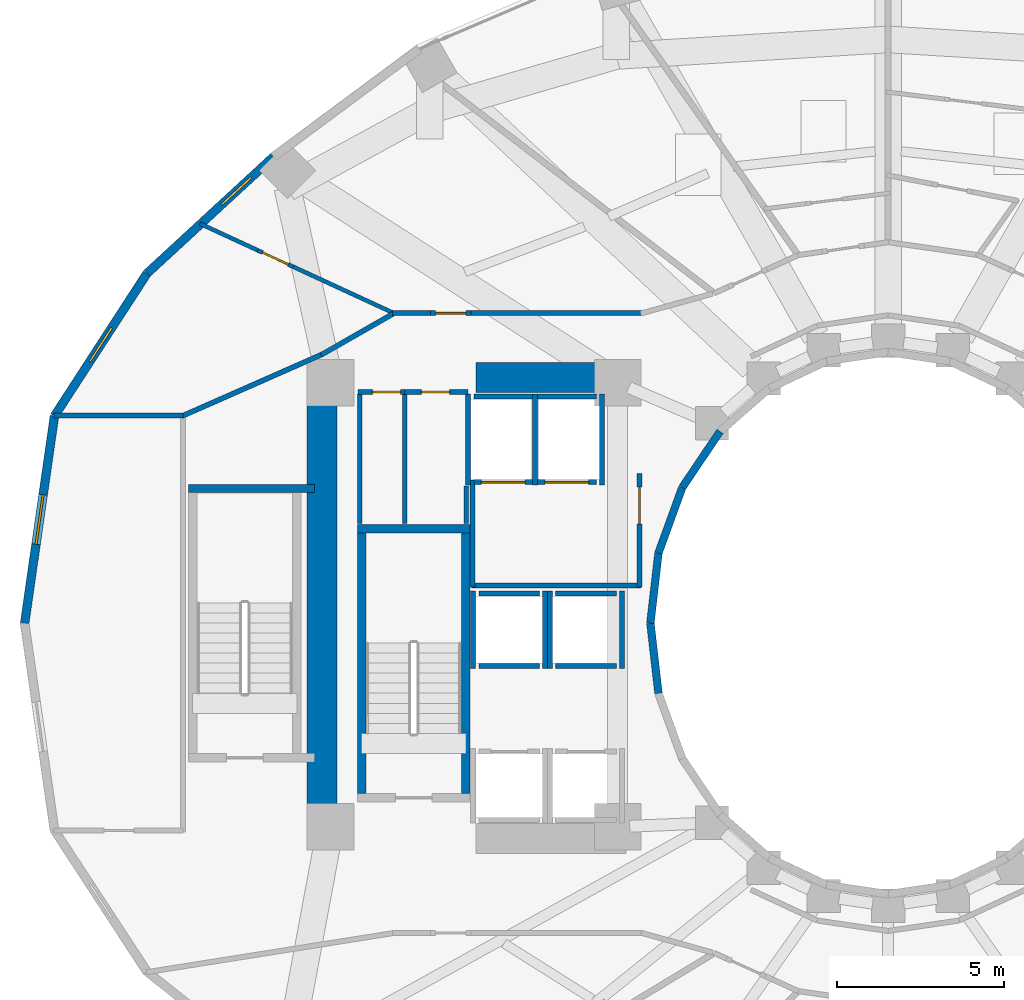
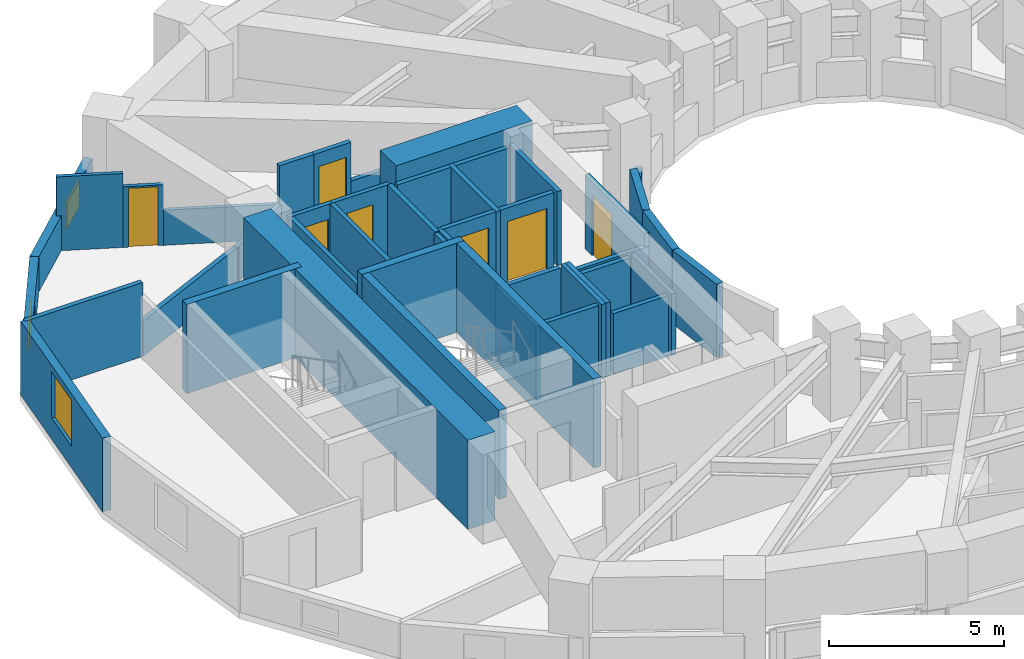
# One storey, part 15 of 22: 45 walls, 7 doors, 3 windows, 10 openings.
"""IFC4 building model written with IfcOpenShell, lengths in metres."""

from ifc_helpers import new_model, si_unit, direction, frame, frame_2d, origin, place, context, subcontext, project, spatial, rectangle, extrude, material, layer, layer_set, type_object, element, fill, save


model = new_model("IFC4")

# Units and contexts
model_context = context("Model", 3, precision=1e-05, world=origin(), true_north=direction((0.0, 1.0)))
body_context = subcontext(model_context, "Body", "Model", "MODEL_VIEW")
ifc_project = project(units=[si_unit("LENGTHUNIT", "METRE"), si_unit("AREAUNIT", "SQUARE_METRE"), si_unit("VOLUMEUNIT", "CUBIC_METRE"), si_unit("PLANEANGLEUNIT", "RADIAN"), si_unit("MASSUNIT", "GRAM", prefix="KILO")], contexts=[model_context])

# Site, building, storey
site_placement = place(None, origin())
site = spatial("IfcSite", under=ifc_project, at=site_placement, CompositionType="ELEMENT")
building_placement = place(site_placement, origin())
building = spatial("IfcBuilding", under=site, at=building_placement, Name="Solvane Sanctuary Tower", CompositionType="ELEMENT")
storey_placement = place(building_placement, frame((0.0, 0.0, 43.10009765625)))
storey = spatial("IfcBuildingStorey", under=building, at=storey_placement, Name="L12", CompositionType="ELEMENT", Elevation=43.10009765625)

# Walls
ifc_material_1 = material(Name="Concrete C70/85", Category="concrete")
ifc_layer_1 = layer(ifc_material_1, 0.89990234375, Name="Concrete C70/85")
ifc_layer_set_1 = layer_set([ifc_layer_1], Name="Concrete C70/85")
wall_type_1 = type_object("IfcWallType", Name="Wall W-CORE-900", PredefinedType="SHEAR", material=ifc_layer_set_1)
wall_1_placement = place(storey_placement, frame((15.050048828125, 17.050048828125, 0.0), z_axis=(0.0, 0.0, 1.0), x_axis=(0.0, 1.0, 0.0)))
element("IfcWall", 1, at=wall_1_placement, inside=storey, type_object=wall_type_1, Name="L12 Core Shear Wall WC-W", PredefinedType="SHEAR", context=body_context, shape_type="SweptSolid", body=[
    extrude(rectangle(XDim=12.800048828125, YDim=0.89990234375, at=frame_2d((6.39990234375, 0.0))), origin(), (0.0, 0.0, 1.0), 3.099853515625),
])
wall_2_placement = place(storey_placement, frame((19.64990234375, 30.35009765625, 0.0), z_axis=(0.0, 0.0, 1.0), x_axis=(1.0, 0.0, 0.0)))
element("IfcWall", 2, at=wall_2_placement, inside=storey, type_object=wall_type_1, Name="L12 Core Shear Wall WC-N", PredefinedType="SHEAR", context=body_context, shape_type="SweptSolid", body=[
    extrude(rectangle(XDim=4.5, YDim=0.89990234375, at=frame_2d((2.25, 0.0))), origin(), (0.0, 0.0, 1.0), 3.099853515625),
])
ifc_material_2 = material(Name="Acoustic Gypsum Partition Board")
ifc_layer_2 = layer(ifc_material_2, 0.14990234375, Name="Acoustic Gypsum Partition Board")
ifc_layer_set_2 = layer_set([ifc_layer_2], Name="Acoustic Gypsum Partition Board")
wall_type_2 = type_object("IfcWallType", Name="Wall W-CORR-150", PredefinedType="PARTITIONING", material=ifc_layer_set_2)
wall_3_placement = place(storey_placement, frame((19.52001953125, 24.1201171875, 0.0), z_axis=(0.0, 0.0, 1.0), x_axis=(1.0, 0.0, 0.0)))
element("IfcWall", 3, at=wall_3_placement, inside=storey, type_object=wall_type_2, Name="L12 West Firefighting Lobby South Wall", PredefinedType="PARTITIONING", context=body_context, shape_type="SweptSolid", body=[
    extrude(rectangle(XDim=5.080078125, YDim=0.14990234375, at=frame_2d((2.5400390625, 0.0))), origin(), (0.0, 0.0, 1.0), 2.119873046875),
])
wall_4_placement = place(storey_placement, frame((19.550048828125, 24.080078125, 0.0), z_axis=(0.0, 0.0, 1.0), x_axis=(0.0, 1.0, 0.0)))
element("IfcWall", 4, at=wall_4_placement, inside=storey, type_object=wall_type_2, Name="L12 West Firefighting Lobby West Wall", PredefinedType="PARTITIONING", context=body_context, shape_type="SweptSolid", body=[
    extrude(rectangle(XDim=3.199951171875, YDim=0.14990234375, at=frame_2d((1.60009765625, 0.0))), origin(), (0.0, 0.0, 1.0), 2.574951171875),
])

# Wall, opening, door
wall_5_placement = place(storey_placement, frame((24.550048828125, 24.080078125, 0.0), z_axis=(0.0, 0.0, 1.0), x_axis=(0.0, 1.0, 0.0)))
wall_5 = element("IfcWall", 5, at=wall_5_placement, inside=storey, type_object=wall_type_2, Name="L12 West Firefighting Lobby East Wall", PredefinedType="PARTITIONING", context=body_context, shape_type="SweptSolid", body=[
    extrude(rectangle(XDim=3.39990234375, YDim=0.14990234375, at=frame_2d((1.699951171875, 0.0))), origin(), (0.0, 0.0, 1.0), 2.574951171875),
])
opening_1_placement = place(wall_5_placement, frame((1.893798828125, 0.0, 0.0)))
opening_1 = element("IfcOpeningElement", 6, at=opening_1_placement, cuts=wall_5, Name="Opening D-L12-04", PredefinedType="OPENING", context=body_context, shape_type="SweptSolid", body=[
    extrude(rectangle(XDim=1.10009765625, YDim=2.10009765625, at=frame_2d((0.550048828125, 1.050048828125))), frame((0.0, 0.0849609375, 0.0), z_axis=(0.0, -1.0, 0.0), x_axis=(1.0, 0.0, 0.0)), (0.0, 0.0, 1.0), 0.169921875),
])
ifc_material_3 = material(Name="Architectural Stainless Steel 316", Category="steel")
door_type_1 = type_object("IfcDoorType", Name="Door D-FFL", OperationType="NOTDEFINED", PredefinedType="DOOR", material=ifc_material_3)
door_1_placement = place(opening_1_placement, origin())
door_1 = element("IfcDoor", 7, at=door_1_placement, inside=storey, type_object=door_type_1, Name="L12 West Firefighting Lobby Fire Door", OperationType="SINGLE_SWING_RIGHT", OverallHeight=2.10009765625, OverallWidth=1.10009765625, PredefinedType="DOOR", context=body_context, shape_type="SweptSolid", body=[
    extrude(rectangle(XDim=1.10009765625, YDim=2.10009765625, at=frame_2d((0.550048828125, 1.050048828125))), frame((0.0, 0.02490234375, 0.0), z_axis=(0.0, -1.0, 0.0), x_axis=(1.0, 0.0, 0.0)), (0.0, 0.0, 1.0), 0.050048828125),
])
fill(opening_1, door_1)

# Walls
wall_6_placement = place(storey_placement, frame((7.013671875, 29.211669921875, 0.0), z_axis=(0.0, 0.0, 1.0), x_axis=(1.0, 0.0, 0.0)))
element("IfcWall", 8, at=wall_6_placement, inside=storey, type_object=wall_type_2, Name="L12 West Shoulder North Wall", PredefinedType="PARTITIONING", context=body_context, shape_type="SweptSolid", body=[
    extrude(rectangle(XDim=3.8662109375, YDim=0.14990234375, at=frame_2d((1.93310546875, 0.0))), origin(), (0.0, 0.0, 1.0), 2.574951171875),
])
wall_7_placement = place(storey_placement, frame((10.843505859375, 29.195556640625, 0.0), z_axis=(0.0, 0.0, 1.0), x_axis=(0.91502756289, 0.403391322604, 0.0)))
element("IfcWall", 9, at=wall_7_placement, inside=storey, type_object=wall_type_2, Name="L12 NW Corner Closer 1", PredefinedType="PARTITIONING", context=body_context, shape_type="SweptSolid", body=[
    extrude(rectangle(XDim=4.63720703125, YDim=0.14990234375, at=frame_2d((2.318603515625, 0.0))), origin(), (0.0, 0.0, 1.0), 1.219970703125),
])
wall_8_placement = place(storey_placement, frame((17.14990234375, 32.280029296875, 0.0), z_axis=(0.0, 0.0, 1.0), x_axis=(1.0, 0.0, 0.0)))
element("IfcWall", 10, at=wall_8_placement, inside=storey, type_object=wall_type_2, Name="L12 NW Corner Corridor Wall", PredefinedType="PARTITIONING", context=body_context, shape_type="SweptSolid", body=[
    extrude(rectangle(XDim=1.14013671875, YDim=0.14990234375, at=frame_2d((0.570068359375, 0.0))), origin(), (0.0, 0.0, 1.0), 2.574951171875),
])

# Wall, opening, door
wall_9_placement = place(storey_placement, frame((18.2900390625, 32.280029296875, 0.0), z_axis=(0.0, 0.0, 1.0), x_axis=(1.0, 0.0, 0.0)))
wall_9 = element("IfcWall", 11, at=wall_9_placement, inside=storey, type_object=wall_type_2, Name="L12 NW Corner Corridor Wall", PredefinedType="PARTITIONING", context=body_context, shape_type="SweptSolid", body=[
    extrude(rectangle(XDim=1.219970703125, YDim=0.14990234375, at=frame_2d((0.60986328125, 0.0))), origin(), (0.0, 0.0, 1.0), 2.574951171875),
])
opening_2_placement = place(wall_9_placement, frame((0.159912109375, 0.0, 0.0)))
opening_2 = element("IfcOpeningElement", 12, at=opening_2_placement, cuts=wall_9, Name="Opening D-L12-14", PredefinedType="OPENING", context=body_context, shape_type="SweptSolid", body=[
    extrude(rectangle(XDim=0.89990234375, YDim=2.10009765625, at=frame_2d((0.449951171875, 1.050048828125))), frame((0.0, 0.0849609375, 0.0), z_axis=(0.0, -1.0, 0.0), x_axis=(1.0, 0.0, 0.0)), (0.0, 0.0, 1.0), 0.169921875),
])
ifc_material_4 = material(Name="Engineered Tropical Hardwood", Category="wood")
door_type_2 = type_object("IfcDoorType", Name="Door D-WET-900", OperationType="NOTDEFINED", PredefinedType="DOOR", material=ifc_material_4)
door_2_placement = place(opening_2_placement, origin())
door_2 = element("IfcDoor", 13, at=door_2_placement, inside=storey, type_object=door_type_2, Name="L12 NW Corner Salon Door", OperationType="SINGLE_SWING_RIGHT", OverallHeight=2.10009765625, OverallWidth=0.89990234375, PredefinedType="DOOR", context=body_context, shape_type="SweptSolid", body=[
    extrude(rectangle(XDim=0.89990234375, YDim=2.10009765625, at=frame_2d((0.449951171875, 1.050048828125))), frame((0.0, 0.02490234375, 0.0), z_axis=(0.0, -1.0, 0.0), x_axis=(1.0, 0.0, 0.0)), (0.0, 0.0, 1.0), 0.050048828125),
])
fill(opening_2, door_2)

# Walls
wall_10_placement = place(storey_placement, frame((19.510009765625, 32.280029296875, 0.0), z_axis=(0.0, 0.0, 1.0), x_axis=(1.0, 0.0, 0.0)))
element("IfcWall", 14, at=wall_10_placement, inside=storey, type_object=wall_type_2, Name="L12 NW Corner Corridor Wall", PredefinedType="PARTITIONING", context=body_context, shape_type="SweptSolid", body=[
    extrude(rectangle(XDim=5.159912109375, YDim=0.14990234375, at=frame_2d((2.580078125, 0.0))), origin(), (0.0, 0.0, 1.0), 1.219970703125),
])
wall_11_placement = place(storey_placement, frame((17.243408203125, 32.3046875, 0.0), z_axis=(0.0, 0.0, 1.0), x_axis=(-0.867991349648, -0.496579315857, 0.0)))
element("IfcWall", 15, at=wall_11_placement, inside=storey, type_object=wall_type_2, Name="L12 NW Corner Wing Wall", PredefinedType="PARTITIONING", context=body_context, shape_type="SweptSolid", body=[
    extrude(rectangle(XDim=2.56689453125, YDim=0.14990234375, at=frame_2d((1.283447265625, 0.0))), origin(), (0.0, 0.0, 1.0), 1.219970703125),
])

# Wall, opening, window
ifc_material_5 = material(Name="Precast concrete C40/50", Category="concrete")
ifc_layer_3 = layer(ifc_material_5, 0.260009765625, Name="Precast concrete C40/50")
ifc_layer_set_3 = layer_set([ifc_layer_3], Name="Precast concrete C40/50")
wall_type_3 = type_object("IfcWallType", Name="Wall W-EXT-250", PredefinedType="STANDARD", material=ifc_layer_set_3)
wall_12_placement = place(storey_placement, frame((13.595458984375, 36.964599609375, 0.0), z_axis=(0.0, 0.0, 1.0), x_axis=(-0.735655109293, -0.67735630223, 0.0)))
wall_12 = element("IfcWall", 16, at=wall_12_placement, inside=storey, type_object=wall_type_3, Name="L12 Ceramic-Printed Facade Wall 09", PredefinedType="STANDARD", context=body_context, shape_type="SweptSolid", body=[
    extrude(rectangle(XDim=5.15087890625, YDim=0.260009765625, at=frame_2d((2.575439453125, 0.0))), origin(), (0.0, 0.0, 1.0), 1.219970703125),
])
opening_3_placement = place(wall_12_placement, frame((0.909912109375, 0.0, 0.14990234375)))
opening_3 = element("IfcOpeningElement", 17, at=opening_3_placement, cuts=wall_12, Name="Opening WN-OPER-1200", PredefinedType="OPENING", context=body_context, shape_type="SweptSolid", body=[
    extrude(rectangle(XDim=1.199951171875, YDim=0.89990234375, at=frame_2d((0.60009765625, 0.449951171875))), frame((0.0, 0.139892578125, 0.0), z_axis=(0.0, -1.0, 0.0), x_axis=(1.0, 0.0, 0.0)), (0.0, 0.0, 1.0), 0.280029296875),
])
ifc_material_6 = material(Name="Dark Ceramic-Fritted Low-E Glass", Category="glass")
window_type_1 = type_object("IfcWindowType", Name="Window WN-OPER-1200", PartitioningType="SINGLE_PANEL", PredefinedType="WINDOW", material=ifc_material_6)
window_1_placement = place(opening_3_placement, origin())
window_1 = element("IfcWindow", 18, at=window_1_placement, inside=storey, type_object=window_type_1, Name="L12 Operable Facade Window 09", OverallHeight=0.89990234375, OverallWidth=1.199951171875, PartitioningType="SINGLE_PANEL", PredefinedType="WINDOW", context=body_context, shape_type="SweptSolid", body=[
    extrude(rectangle(XDim=1.199951171875, YDim=0.89990234375, at=frame_2d((0.60009765625, 0.449951171875))), frame((0.0, 0.030029296875, 0.0), z_axis=(0.0, -1.0, 0.0), x_axis=(1.0, 0.0, 0.0)), (0.0, 0.0, 1.0), 0.06005859375),
])
fill(opening_3, window_1)

wall_13_placement = place(storey_placement, frame((9.80615234375, 33.4755859375, 0.0), z_axis=(0.0, 0.0, 1.0), x_axis=(-0.544578722263, -0.838709732421, 0.0)))
wall_13 = element("IfcWall", 19, at=wall_13_placement, inside=storey, type_object=wall_type_3, Name="L12 Ceramic-Printed Facade Wall 10", PredefinedType="STANDARD", context=body_context, shape_type="SweptSolid", body=[
    extrude(rectangle(XDim=5.091552734375, YDim=0.260009765625, at=frame_2d((2.5458984375, 0.0))), origin(), (0.0, 0.0, 1.0), 1.219970703125),
])
opening_4_placement = place(wall_13_placement, frame((1.94580078125, 0.0, 0.14990234375)))
opening_4 = element("IfcOpeningElement", 20, at=opening_4_placement, cuts=wall_13, Name="Opening WN-OPER-1200", PredefinedType="OPENING", context=body_context, shape_type="SweptSolid", body=[
    extrude(rectangle(XDim=1.199951171875, YDim=0.89990234375, at=frame_2d((0.60009765625, 0.449951171875))), frame((0.0, 0.139892578125, 0.0), z_axis=(0.0, -1.0, 0.0), x_axis=(1.0, 0.0, 0.0)), (0.0, 0.0, 1.0), 0.280029296875),
])
window_2_placement = place(opening_4_placement, origin())
window_2 = element("IfcWindow", 21, at=window_2_placement, inside=storey, type_object=window_type_1, Name="L12 Operable Facade Window 10", OverallHeight=0.89990234375, OverallWidth=1.199951171875, PartitioningType="SINGLE_PANEL", PredefinedType="WINDOW", context=body_context, shape_type="SweptSolid", body=[
    extrude(rectangle(XDim=1.199951171875, YDim=0.89990234375, at=frame_2d((0.60009765625, 0.449951171875))), frame((0.0, 0.030029296875, 0.0), z_axis=(0.0, -1.0, 0.0), x_axis=(1.0, 0.0, 0.0)), (0.0, 0.0, 1.0), 0.06005859375),
])
fill(opening_4, window_2)

wall_14_placement = place(storey_placement, frame((7.033447265625, 29.205322265625, 0.0), z_axis=(0.0, 0.0, 1.0), x_axis=(-0.142528001686, -0.989790770181, 0.0)))
wall_14 = element("IfcWall", 22, at=wall_14_placement, inside=storey, type_object=wall_type_3, Name="L12 Ceramic-Printed Facade Wall 11", PredefinedType="STANDARD", context=body_context, shape_type="SweptSolid", body=[
    extrude(rectangle(XDim=6.269287109375, YDim=0.260009765625, at=frame_2d((3.134765625, 0.0))), origin(), (0.0, 0.0, 1.0), 2.56982421875),
])
opening_5_placement = place(wall_14_placement, frame((2.384521484375, 0.0, 0.75)))
opening_5 = element("IfcOpeningElement", 23, at=opening_5_placement, cuts=wall_14, Name="Opening WN-OPER-1500", PredefinedType="OPENING", context=body_context, shape_type="SweptSolid", body=[
    extrude(rectangle(XDim=1.5, YDim=1.60009765625, at=frame_2d((0.75, 0.800048828125))), frame((0.0, 0.139892578125, 0.0), z_axis=(0.0, -1.0, 0.0), x_axis=(1.0, 0.0, 0.0)), (0.0, 0.0, 1.0), 0.280029296875),
])
window_type_2 = type_object("IfcWindowType", Name="Window WN-OPER-1500", PartitioningType="SINGLE_PANEL", PredefinedType="WINDOW", material=ifc_material_6)
window_3_placement = place(opening_5_placement, origin())
window_3 = element("IfcWindow", 24, at=window_3_placement, inside=storey, type_object=window_type_2, Name="L12 Operable Facade Window 11", OverallHeight=1.60009765625, OverallWidth=1.5, PartitioningType="SINGLE_PANEL", PredefinedType="WINDOW", context=body_context, shape_type="SweptSolid", body=[
    extrude(rectangle(XDim=1.5, YDim=1.60009765625, at=frame_2d((0.75, 0.800048828125))), frame((0.0, 0.030029296875, 0.0), z_axis=(0.0, -1.0, 0.0), x_axis=(1.0, 0.0, 0.0)), (0.0, 0.0, 1.0), 0.06005859375),
])
fill(opening_5, window_3)

# Walls
ifc_layer_4 = layer(ifc_material_5, 0.22998046875, Name="Precast concrete C40/50")
ifc_layer_set_4 = layer_set([ifc_layer_4], Name="Precast concrete C40/50")
wall_type_4 = type_object("IfcWallType", Name="Wall W-EXT-SP220", PredefinedType="STANDARD", material=ifc_layer_set_4)
wall_15_placement = place(storey_placement, frame((26.96533203125, 28.74169921875, 0.0), z_axis=(0.0, 0.0, 1.0), x_axis=(-0.558197800898, -0.829707909492, 0.0)))
element("IfcWall", 25, at=wall_15_placement, inside=storey, type_object=wall_type_4, Name="L12 Central Light-Well Wall 09", PredefinedType="STANDARD", context=body_context, shape_type="SweptSolid", body=[
    extrude(rectangle(XDim=2.02685546875, YDim=0.22998046875, at=frame_2d((1.013427734375, 0.0))), origin(), (0.0, 0.0, 1.0), 1.219970703125),
])
wall_16_placement = place(storey_placement, frame((25.833984375, 27.06005859375, 0.0), z_axis=(0.0, 0.0, 1.0), x_axis=(-0.341423187295, -0.93990968033, 0.0)))
element("IfcWall", 26, at=wall_16_placement, inside=storey, type_object=wall_type_4, Name="L12 Central Light-Well Wall 10", PredefinedType="STANDARD", context=body_context, shape_type="SweptSolid", body=[
    extrude(rectangle(XDim=2.083740234375, YDim=0.22998046875, at=frame_2d((1.0419921875, 0.0))), origin(), (0.0, 0.0, 1.0), 2.559814453125),
])
for number, where, z_axis, x_axis, name in (
    (27, (25.12255859375, 25.1015625, 0.0), (0.0, 0.0, 1.0), (-0.114711713601, -0.993398823617, 0.0), "L12 Central Light-Well Wall 11"),
    (28, (24.8798828125, 23.0, 0.0), (0.0, 0.0, 1.0), (0.114711713601, -0.993398823617, 0.0), "L12 Central Light-Well Wall 12"),
):
    element("IfcWall", number, at=place(storey_placement, frame(where, z_axis=z_axis, x_axis=x_axis)), inside=storey, type_object=wall_type_4, Name=name, PredefinedType="STANDARD", context=body_context, shape_type="SweptSolid", body=[
        extrude(rectangle(XDim=2.115478515625, YDim=0.22998046875, at=frame_2d((1.0576171875, 0.0))), origin(), (0.0, 0.0, 1.0), 2.559814453125),
    ])
ifc_layer_5 = layer(ifc_material_2, 0.1201171875, Name="Acoustic Gypsum Partition Board")
ifc_layer_set_5 = layer_set([ifc_layer_5], Name="Acoustic Gypsum Partition Board")
wall_type_5 = type_object("IfcWallType", Name="Wall W-MOV-100", PredefinedType="MOVABLE", material=ifc_layer_set_5)
wall_17_placement = place(storey_placement, frame((17.245361328125, 32.259033203125, 0.0), z_axis=(0.0, 0.0, 1.0), x_axis=(-0.907887445426, 0.419214010307, 0.0)))
element("IfcWall", 29, at=wall_17_placement, inside=storey, type_object=wall_type_5, Name="L12 NW Corner Suite Partition", PredefinedType="MOVABLE", context=body_context, shape_type="SweptSolid", body=[
    extrude(rectangle(XDim=3.377685546875, YDim=0.1201171875, at=frame_2d((1.68896484375, 0.0))), origin(), (0.0, 0.0, 1.0), 1.219970703125),
])

# Wall, opening, door
wall_18_placement = place(storey_placement, frame((14.1787109375, 33.675048828125, 0.0), z_axis=(0.0, 0.0, 1.0), x_axis=(-0.907812768844, 0.419375698776, 0.0)))
wall_18 = element("IfcWall", 30, at=wall_18_placement, inside=storey, type_object=wall_type_5, Name="L12 NW Corner Suite Partition", PredefinedType="MOVABLE", context=body_context, shape_type="SweptSolid", body=[
    extrude(rectangle(XDim=1.170166015625, YDim=0.1201171875, at=frame_2d((0.5849609375, 0.0))), origin(), (0.0, 0.0, 1.0), 2.10986328125),
])
opening_6_placement = place(wall_18_placement, frame((0.159912109375, 0.0, 0.0)))
opening_6 = element("IfcOpeningElement", 31, at=opening_6_placement, cuts=wall_18, Name="Opening D-L12-13", PredefinedType="OPENING", context=body_context, shape_type="SweptSolid", body=[
    extrude(rectangle(XDim=0.85009765625, YDim=2.050048828125, at=frame_2d((0.425048828125, 1.02490234375))), frame((0.0, 0.070068359375, 0.0), z_axis=(0.0, -1.0, 0.0), x_axis=(1.0, 0.0, 0.0)), (0.0, 0.0, 1.0), 0.14013671875),
])
door_type_3 = type_object("IfcDoorType", Name="Door D-RISER", OperationType="NOTDEFINED", PredefinedType="DOOR", material=ifc_material_3)
door_3_placement = place(opening_6_placement, origin())
door_3 = element("IfcDoor", 32, at=door_3_placement, inside=storey, type_object=door_type_3, Name="L12 NW Corner Suite Door", OperationType="SINGLE_SWING_LEFT", OverallHeight=2.050048828125, OverallWidth=0.85009765625, PredefinedType="DOOR", context=body_context, shape_type="SweptSolid", body=[
    extrude(rectangle(XDim=0.85009765625, YDim=2.050048828125, at=frame_2d((0.425048828125, 1.02490234375))), frame((0.0, 0.02490234375, 0.0), z_axis=(0.0, -1.0, 0.0), x_axis=(1.0, 0.0, 0.0)), (0.0, 0.0, 1.0), 0.050048828125),
])
fill(opening_6, door_3)

# Walls
wall_19_placement = place(storey_placement, frame((13.116455078125, 34.165771484375, 0.0), z_axis=(0.0, 0.0, 1.0), x_axis=(-0.907914359179, 0.419155718554, 0.0)))
element("IfcWall", 33, at=wall_19_placement, inside=storey, type_object=wall_type_5, Name="L12 NW Corner Suite Partition", PredefinedType="MOVABLE", context=body_context, shape_type="SweptSolid", body=[
    extrude(rectangle(XDim=1.904541015625, YDim=0.1201171875, at=frame_2d((0.9521484375, 0.0))), origin(), (0.0, 0.0, 1.0), 2.574951171875),
])
ifc_material_7 = material(Name="Concrete C50/60", Category="concrete")
ifc_layer_6 = layer(ifc_material_7, 0.14990234375, Name="Concrete C50/60")
ifc_layer_set_6 = layer_set([ifc_layer_6], Name="Concrete C50/60")
wall_type_6 = type_object("IfcWallType", Name="Wall W-SHAFT-150", PredefinedType="SOLIDWALL", material=ifc_layer_set_6)
for number, where, z_axis, x_axis, name in (
    (34, (19.739990234375, 21.719970703125, 0.0), (0.0, 0.0, 1.0), (1.0, 0.0, 0.0), "L12 PM-1 Lift Shaft Wall F"),
    (35, (19.739990234375, 23.8798828125, 0.0), (0.0, 0.0, 1.0), (1.0, 0.0, 0.0), "L12 PM-1 Lift Shaft Wall B"),
):
    element("IfcWall", number, at=place(storey_placement, frame(where, z_axis=z_axis, x_axis=x_axis)), inside=storey, type_object=wall_type_6, Name=name, PredefinedType="SOLIDWALL", context=body_context, shape_type="SweptSolid", body=[
        extrude(rectangle(XDim=1.820068359375, YDim=0.14990234375, at=frame_2d((0.91015625, 0.0))), origin(), (0.0, 0.0, 1.0), 2.574951171875),
    ])
for number, where, z_axis, x_axis, name in (
    (36, (19.570068359375, 21.639892578125, 0.0), (0.0, 0.0, 1.0), (0.0, 1.0, 0.0), "L12 PM-1 Lift Shaft Wall S1"),
    (37, (21.72998046875, 21.639892578125, 0.0), (0.0, 0.0, 1.0), (0.0, 1.0, 0.0), "L12 PM-1 Lift Shaft Wall S2"),
):
    element("IfcWall", number, at=place(storey_placement, frame(where, z_axis=z_axis, x_axis=x_axis)), inside=storey, type_object=wall_type_6, Name=name, PredefinedType="SOLIDWALL", context=body_context, shape_type="SweptSolid", body=[
        extrude(rectangle(XDim=2.320068359375, YDim=0.14990234375, at=frame_2d((1.16015625, 0.0))), origin(), (0.0, 0.0, 1.0), 2.574951171875),
    ])
for number, where, z_axis, x_axis, name in (
    (38, (22.0400390625, 21.719970703125, 0.0), (0.0, 0.0, 1.0), (1.0, 0.0, 0.0), "L12 PH-1 Lift Shaft Wall F"),
    (39, (22.0400390625, 23.8798828125, 0.0), (0.0, 0.0, 1.0), (1.0, 0.0, 0.0), "L12 PH-1 Lift Shaft Wall B"),
):
    element("IfcWall", number, at=place(storey_placement, frame(where, z_axis=z_axis, x_axis=x_axis)), inside=storey, type_object=wall_type_6, Name=name, PredefinedType="SOLIDWALL", context=body_context, shape_type="SweptSolid", body=[
        extrude(rectangle(XDim=1.820068359375, YDim=0.14990234375, at=frame_2d((0.91015625, 0.0))), origin(), (0.0, 0.0, 1.0), 2.119873046875),
    ])
wall_20_placement = place(storey_placement, frame((21.8701171875, 21.639892578125, 0.0), z_axis=(0.0, 0.0, 1.0), x_axis=(0.0, 1.0, 0.0)))
element("IfcWall", 40, at=wall_20_placement, inside=storey, type_object=wall_type_6, Name="L12 PH-1 Lift Shaft Wall S1", PredefinedType="SOLIDWALL", context=body_context, shape_type="SweptSolid", body=[
    extrude(rectangle(XDim=2.320068359375, YDim=0.14990234375, at=frame_2d((1.16015625, 0.0))), origin(), (0.0, 0.0, 1.0), 2.574951171875),
])
wall_21_placement = place(storey_placement, frame((24.030029296875, 21.639892578125, 0.0), z_axis=(0.0, 0.0, 1.0), x_axis=(0.0, 1.0, 0.0)))
element("IfcWall", 41, at=wall_21_placement, inside=storey, type_object=wall_type_6, Name="L12 PH-1 Lift Shaft Wall S2", PredefinedType="SOLIDWALL", context=body_context, shape_type="SweptSolid", body=[
    extrude(rectangle(XDim=2.320068359375, YDim=0.14990234375, at=frame_2d((1.16015625, 0.0))), origin(), (0.0, 0.0, 1.0), 2.119873046875),
])

# Wall, opening, door
wall_22_placement = place(storey_placement, frame((19.590087890625, 27.219970703125, 0.0), z_axis=(0.0, 0.0, 1.0), x_axis=(1.0, 0.0, 0.0)))
wall_22 = element("IfcWall", 42, at=wall_22_placement, inside=storey, type_object=wall_type_6, Name="L12 FFL-1 Lift Shaft Wall F", PredefinedType="SOLIDWALL", context=body_context, shape_type="SweptSolid", body=[
    extrude(rectangle(XDim=1.760009765625, YDim=0.14990234375, at=frame_2d((0.8798828125, 0.0))), origin(), (0.0, 0.0, 1.0), 2.574951171875),
])
opening_7_placement = place(wall_22_placement, frame((0.22998046875, 0.0, 0.0)))
opening_7 = element("IfcOpeningElement", 43, at=opening_7_placement, cuts=wall_22, Name="Opening LD-L12-05", PredefinedType="OPENING", context=body_context, shape_type="SweptSolid", body=[
    extrude(rectangle(XDim=1.300048828125, YDim=2.10009765625, at=frame_2d((0.64990234375, 1.050048828125))), frame((0.0, 0.0849609375, 0.0), z_axis=(0.0, -1.0, 0.0), x_axis=(1.0, 0.0, 0.0)), (0.0, 0.0, 1.0), 0.169921875),
])
door_type_4 = type_object("IfcDoorType", Name="Door LD-FFL-1300", OperationType="NOTDEFINED", PredefinedType="DOOR", material=ifc_material_3)
door_4_placement = place(opening_7_placement, origin())
door_4 = element("IfcDoor", 44, at=door_4_placement, inside=storey, type_object=door_type_4, Name="L12 FFL-1 Lift Landing Door", OperationType="DOUBLE_DOOR_SLIDING", OverallHeight=2.10009765625, OverallWidth=1.300048828125, PredefinedType="DOOR", context=body_context, shape_type="SweptSolid", body=[
    extrude(rectangle(XDim=1.300048828125, YDim=2.10009765625, at=frame_2d((0.64990234375, 1.050048828125))), frame((0.0, 0.02490234375, 0.0), z_axis=(0.0, -1.0, 0.0), x_axis=(1.0, 0.0, 0.0)), (0.0, 0.0, 1.0), 0.050048828125),
])
fill(opening_7, door_4)

# Walls
wall_23_placement = place(storey_placement, frame((19.590087890625, 29.780029296875, 0.0), z_axis=(0.0, 0.0, 1.0), x_axis=(1.0, 0.0, 0.0)))
element("IfcWall", 45, at=wall_23_placement, inside=storey, type_object=wall_type_6, Name="L12 FFL-1 Lift Shaft Wall B", PredefinedType="SOLIDWALL", context=body_context, shape_type="SweptSolid", body=[
    extrude(rectangle(XDim=1.760009765625, YDim=0.14990234375, at=frame_2d((0.8798828125, 0.0))), origin(), (0.0, 0.0, 1.0), 2.574951171875),
])
for number, where, z_axis, x_axis, name in (
    (46, (19.419921875, 27.139892578125, 0.0), (0.0, 0.0, 1.0), (0.0, 1.0, 0.0), "L12 FFL-1 Lift Shaft Wall S1"),
    (47, (21.425048828125, 27.139892578125, 0.0), (0.0, 0.0, 1.0), (0.0, 1.0, 0.0), "L12 FFL-1 Lift Shaft Wall S2"),
):
    element("IfcWall", number, at=place(storey_placement, frame(where, z_axis=z_axis, x_axis=x_axis)), inside=storey, type_object=wall_type_6, Name=name, PredefinedType="SOLIDWALL", context=body_context, shape_type="SweptSolid", body=[
        extrude(rectangle(XDim=2.72021484375, YDim=0.14990234375, at=frame_2d((1.360107421875, 0.0))), origin(), (0.0, 0.0, 1.0), 2.574951171875),
    ])

# Wall, opening, door
wall_24_placement = place(storey_placement, frame((21.5, 27.219970703125, 0.0), z_axis=(0.0, 0.0, 1.0), x_axis=(1.0, 0.0, 0.0)))
wall_24 = element("IfcWall", 48, at=wall_24_placement, inside=storey, type_object=wall_type_6, Name="L12 SVL-1 Lift Shaft Wall F", PredefinedType="SOLIDWALL", context=body_context, shape_type="SweptSolid", body=[
    extrude(rectangle(XDim=1.760009765625, YDim=0.14990234375, at=frame_2d((0.8798828125, 0.0))), origin(), (0.0, 0.0, 1.0), 2.574951171875),
])
opening_8_placement = place(wall_24_placement, frame((0.22998046875, 0.0, 0.0)))
opening_8 = element("IfcOpeningElement", 49, at=opening_8_placement, cuts=wall_24, Name="Opening LD-L12-06", PredefinedType="OPENING", context=body_context, shape_type="SweptSolid", body=[
    extrude(rectangle(XDim=1.300048828125, YDim=2.10009765625, at=frame_2d((0.64990234375, 1.050048828125))), frame((0.0, 0.0849609375, 0.0), z_axis=(0.0, -1.0, 0.0), x_axis=(1.0, 0.0, 0.0)), (0.0, 0.0, 1.0), 0.169921875),
])
door_5_placement = place(opening_8_placement, origin())
door_5 = element("IfcDoor", 50, at=door_5_placement, inside=storey, type_object=door_type_4, Name="L12 SVL-1 Lift Landing Door", OperationType="DOUBLE_DOOR_SLIDING", OverallHeight=2.10009765625, OverallWidth=1.300048828125, PredefinedType="DOOR", context=body_context, shape_type="SweptSolid", body=[
    extrude(rectangle(XDim=1.300048828125, YDim=2.10009765625, at=frame_2d((0.64990234375, 1.050048828125))), frame((0.0, 0.02490234375, 0.0), z_axis=(0.0, -1.0, 0.0), x_axis=(1.0, 0.0, 0.0)), (0.0, 0.0, 1.0), 0.050048828125),
])
fill(opening_8, door_5)

# Walls
wall_25_placement = place(storey_placement, frame((21.5, 29.780029296875, 0.0), z_axis=(0.0, 0.0, 1.0), x_axis=(1.0, 0.0, 0.0)))
element("IfcWall", 51, at=wall_25_placement, inside=storey, type_object=wall_type_6, Name="L12 SVL-1 Lift Shaft Wall B", PredefinedType="SOLIDWALL", context=body_context, shape_type="SweptSolid", body=[
    extrude(rectangle(XDim=1.760009765625, YDim=0.14990234375, at=frame_2d((0.8798828125, 0.0))), origin(), (0.0, 0.0, 1.0), 2.574951171875),
])
wall_26_placement = place(storey_placement, frame((23.429931640625, 27.139892578125, 0.0), z_axis=(0.0, 0.0, 1.0), x_axis=(0.0, 1.0, 0.0)))
element("IfcWall", 52, at=wall_26_placement, inside=storey, type_object=wall_type_6, Name="L12 SVL-1 Lift Shaft Wall S2", PredefinedType="SOLIDWALL", context=body_context, shape_type="SweptSolid", body=[
    extrude(rectangle(XDim=2.72021484375, YDim=0.14990234375, at=frame_2d((1.360107421875, 0.0))), origin(), (0.0, 0.0, 1.0), 2.574951171875),
])
ifc_layer_7 = layer(ifc_material_7, 0.25, Name="Concrete C50/60")
ifc_layer_set_7 = layer_set([ifc_layer_7], Name="Concrete C50/60")
wall_type_7 = type_object("IfcWallType", Name="Wall W-SHAFT-250", PredefinedType="SOLIDWALL", material=ifc_layer_set_7)
wall_27_placement = place(storey_placement, frame((16.10498046875, 25.830078125, 0.0), z_axis=(0.0, 0.0, 1.0), x_axis=(1.0, 0.0, 0.0)))
element("IfcWall", 53, at=wall_27_placement, inside=storey, type_object=wall_type_7, Name="L12 ST-1 Load-Bearing Shaft Wall N", PredefinedType="SOLIDWALL", context=body_context, shape_type="SweptSolid", body=[
    extrude(rectangle(XDim=3.3701171875, YDim=0.25, at=frame_2d((1.68505859375, 0.0))), origin(), (0.0, 0.0, 1.0), 3.099853515625),
])
for number, where, z_axis, x_axis, name in (
    (54, (16.22998046875, 17.89501953125, 0.0), (0.0, 0.0, 1.0), (0.0, 1.0, 0.0), "L12 ST-1 Load-Bearing Shaft Wall W"),
    (55, (19.35009765625, 17.89501953125, 0.0), (0.0, 0.0, 1.0), (0.0, 1.0, 0.0), "L12 ST-1 Load-Bearing Shaft Wall E"),
):
    element("IfcWall", number, at=place(storey_placement, frame(where, z_axis=z_axis, x_axis=x_axis)), inside=storey, type_object=wall_type_7, Name=name, PredefinedType="SOLIDWALL", context=body_context, shape_type="SweptSolid", body=[
        extrude(rectangle(XDim=7.81005859375, YDim=0.25, at=frame_2d((3.905029296875, 0.0))), origin(), (0.0, 0.0, 1.0), 3.099853515625),
    ])
wall_28_placement = place(storey_placement, frame((11.044921875, 27.030029296875, 0.0), z_axis=(0.0, 0.0, 1.0), x_axis=(1.0, 0.0, 0.0)))
element("IfcWall", 56, at=wall_28_placement, inside=storey, type_object=wall_type_7, Name="L12 ST-3 Load-Bearing Shaft Wall N", PredefinedType="SOLIDWALL", context=body_context, shape_type="SweptSolid", body=[
    extrude(rectangle(XDim=3.781982421875, YDim=0.25, at=frame_2d((1.89111328125, 0.0))), origin(), (0.0, 0.0, 1.0), 3.099853515625),
])

# Wall, opening, door
ifc_layer_8 = layer(ifc_material_2, 0.139892578125, Name="Acoustic Gypsum Partition Board")
ifc_layer_set_8 = layer_set([ifc_layer_8], Name="Acoustic Gypsum Partition Board")
wall_type_8 = type_object("IfcWallType", Name="Wall W-WET-140", PredefinedType="PLUMBINGWALL", material=ifc_layer_set_8)
wall_29_placement = place(storey_placement, frame((16.1201171875, 29.919921875, 0.0), z_axis=(0.0, 0.0, 1.0), x_axis=(1.0, 0.0, 0.0)))
wall_29 = element("IfcWall", 57, at=wall_29_placement, inside=storey, type_object=wall_type_8, Name="L12 Core Service Front Wall KW1", PredefinedType="PLUMBINGWALL", context=body_context, shape_type="SweptSolid", body=[
    extrude(rectangle(XDim=1.39990234375, YDim=0.139892578125, at=frame_2d((0.699951171875, 0.0))), origin(), (0.0, 0.0, 1.0), 2.574951171875),
])
opening_9_placement = place(wall_29_placement, frame((0.429931640625, 0.0, 0.0)))
opening_9 = element("IfcOpeningElement", 58, at=opening_9_placement, cuts=wall_29, Name="Opening D-L12-06", PredefinedType="OPENING", context=body_context, shape_type="SweptSolid", body=[
    extrude(rectangle(XDim=0.85009765625, YDim=2.050048828125, at=frame_2d((0.425048828125, 1.02490234375))), frame((0.0, 0.079833984375, 0.0), z_axis=(0.0, -1.0, 0.0), x_axis=(1.0, 0.0, 0.0)), (0.0, 0.0, 1.0), 0.159912109375),
])
door_6_placement = place(opening_9_placement, origin())
door_6 = element("IfcDoor", 59, at=door_6_placement, inside=storey, type_object=door_type_3, Name="L12 Core Service Room Door KW1-1", OperationType="SINGLE_SWING_RIGHT", OverallHeight=2.050048828125, OverallWidth=0.85009765625, PredefinedType="DOOR", context=body_context, shape_type="SweptSolid", body=[
    extrude(rectangle(XDim=0.85009765625, YDim=2.050048828125, at=frame_2d((0.425048828125, 1.02490234375))), frame((0.0, 0.02490234375, 0.0), z_axis=(0.0, -1.0, 0.0), x_axis=(1.0, 0.0, 0.0)), (0.0, 0.0, 1.0), 0.050048828125),
])
fill(opening_9, door_6)

# Walls
for number, where, z_axis, x_axis, name in (
    (60, (16.179931640625, 25.97998046875, 0.0), (0.0, 0.0, 1.0), (0.0, 1.0, 0.0), "L12 Core Service Side Wall KW1-1"),
    (61, (17.52001953125, 25.97998046875, 0.0), (0.0, 0.0, 1.0), (0.0, 1.0, 0.0), "L12 Core Service Side Wall KW1-2"),
):
    element("IfcWall", number, at=place(storey_placement, frame(where, z_axis=z_axis, x_axis=x_axis)), inside=storey, type_object=wall_type_8, Name=name, PredefinedType="PLUMBINGWALL", context=body_context, shape_type="SweptSolid", body=[
        extrude(rectangle(XDim=3.880126953125, YDim=0.139892578125, at=frame_2d((1.93994140625, 0.0))), origin(), (0.0, 0.0, 1.0), 2.574951171875),
    ])

# Wall, opening, door
wall_30_placement = place(storey_placement, frame((17.52001953125, 29.919921875, 0.0), z_axis=(0.0, 0.0, 1.0), x_axis=(1.0, 0.0, 0.0)))
wall_30 = element("IfcWall", 62, at=wall_30_placement, inside=storey, type_object=wall_type_8, Name="L12 Core Service Front Wall KW2", PredefinedType="PLUMBINGWALL", context=body_context, shape_type="SweptSolid", body=[
    extrude(rectangle(XDim=1.89990234375, YDim=0.139892578125, at=frame_2d((0.949951171875, 0.0))), origin(), (0.0, 0.0, 1.0), 2.574951171875),
])
opening_10_placement = place(wall_30_placement, frame((0.5, 0.0, 0.0)))
opening_10 = element("IfcOpeningElement", 63, at=opening_10_placement, cuts=wall_30, Name="Opening D-L12-07", PredefinedType="OPENING", context=body_context, shape_type="SweptSolid", body=[
    extrude(rectangle(XDim=0.85009765625, YDim=2.050048828125, at=frame_2d((0.425048828125, 1.02490234375))), frame((0.0, 0.079833984375, 0.0), z_axis=(0.0, -1.0, 0.0), x_axis=(1.0, 0.0, 0.0)), (0.0, 0.0, 1.0), 0.159912109375),
])
door_7_placement = place(opening_10_placement, origin())
door_7 = element("IfcDoor", 64, at=door_7_placement, inside=storey, type_object=door_type_3, Name="L12 Core Service Room Door KW2-1", OperationType="SINGLE_SWING_LEFT", OverallHeight=2.050048828125, OverallWidth=0.85009765625, PredefinedType="DOOR", context=body_context, shape_type="SweptSolid", body=[
    extrude(rectangle(XDim=0.85009765625, YDim=2.050048828125, at=frame_2d((0.425048828125, 1.02490234375))), frame((0.0, 0.02490234375, 0.0), z_axis=(0.0, -1.0, 0.0), x_axis=(1.0, 0.0, 0.0)), (0.0, 0.0, 1.0), 0.050048828125),
])
fill(opening_10, door_7)

# Wall
wall_31_placement = place(storey_placement, frame((19.360107421875, 25.97998046875, 0.0), z_axis=(0.0, 0.0, 1.0), x_axis=(0.0, 1.0, 0.0)))
element("IfcWall", 65, at=wall_31_placement, inside=storey, type_object=wall_type_8, Name="L12 Core Service Side Wall KW2-1", PredefinedType="PLUMBINGWALL", context=body_context, shape_type="SweptSolid", body=[
    extrude(rectangle(XDim=1.1201171875, YDim=0.139892578125, at=frame_2d((0.56005859375, 0.0))), origin(), (0.0, 0.0, 1.0), 2.574951171875),
])

save(model, "model.ifc")
